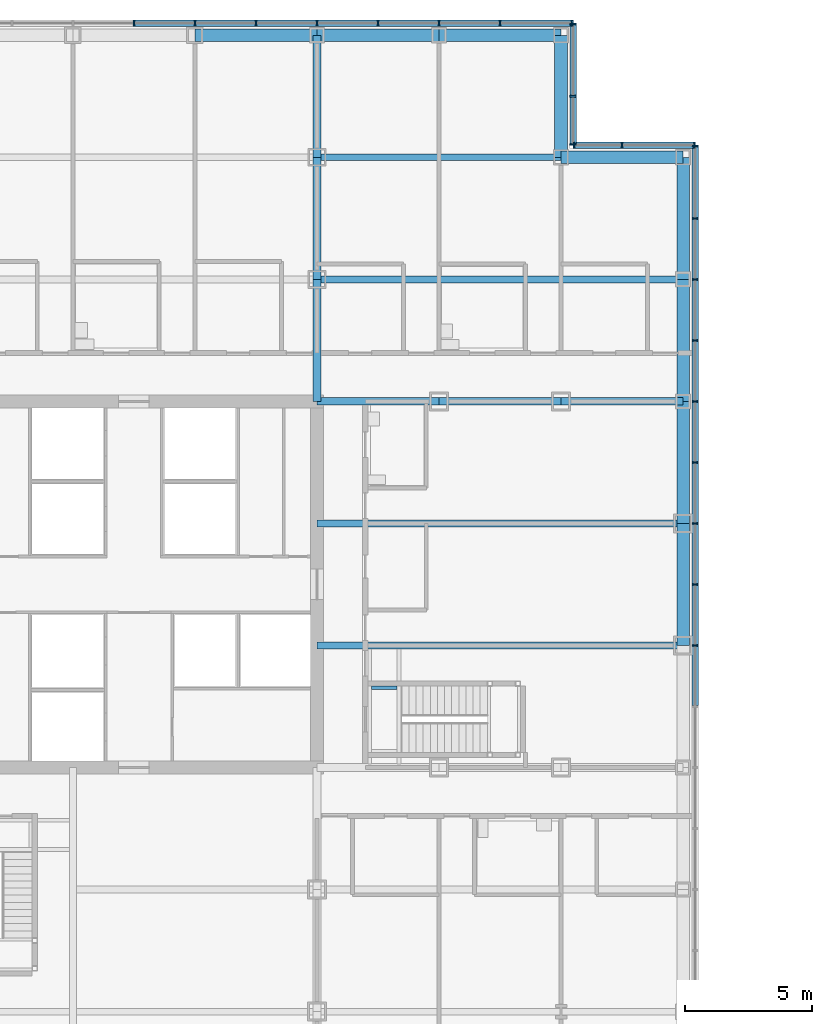
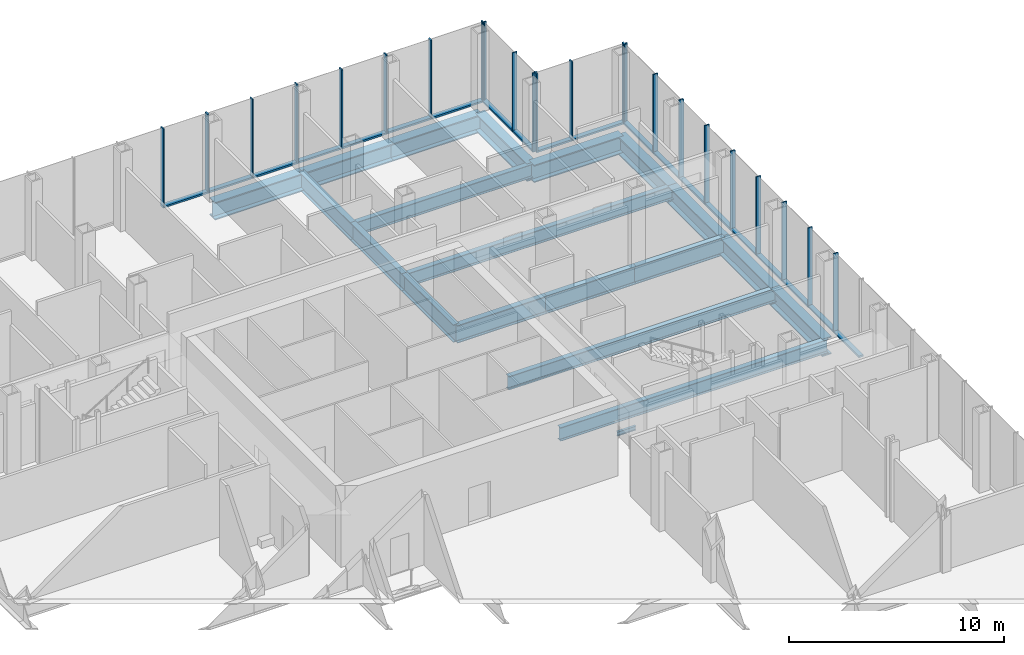
# One storey, part 16 of 25: 43 members, 20 beams, 4 elements without a shape of their own.
"""IFC4 building model written with IfcOpenShell, lengths in metres."""

from ifc_helpers import new_model, si_unit, direction, frame, origin, origin_2d, place, context, subcontext, project, spatial, rectangle, i_section, extrude, material, material_profile, profile_set, type_object, element, aggregate, save


model = new_model("IFC4")

# Units and contexts
model_context = context("Model", 3, precision=1e-05, world=origin(), true_north=direction((0.0, 1.0)))
body_context = subcontext(model_context, "Body", "Model", "MODEL_VIEW")
ifc_project = project(units=[si_unit("LENGTHUNIT", "METRE"), si_unit("AREAUNIT", "SQUARE_METRE"), si_unit("VOLUMEUNIT", "CUBIC_METRE"), si_unit("PLANEANGLEUNIT", "RADIAN"), si_unit("MASSUNIT", "GRAM", prefix="KILO")], contexts=[model_context])

# Site, building, storey
site_placement = place(None, origin())
site = spatial("IfcSite", under=ifc_project, at=site_placement, CompositionType="ELEMENT")
building_placement = place(site_placement, origin())
building = spatial("IfcBuilding", under=site, at=building_placement, Name="Kvirike Care Tower", CompositionType="ELEMENT")
storey_placement = place(building_placement, frame((0.0, 0.0, 13.5)))
storey = spatial("IfcBuildingStorey", under=building, at=storey_placement, Name="L03", CompositionType="ELEMENT", Elevation=13.5)

# Curtain wall, members
ifc_material_1 = material(Name="Anodised aluminium stick system", Category="aluminium")
curtain_wall_type = type_object("IfcCurtainWallType", Name="CW-P PODIUM STICK CURTAIN WALL", PredefinedType="NOTDEFINED", material=ifc_material_1)
curtain_wall_1_placement = place(storey_placement, origin())
curtain_wall_1 = element("IfcCurtainWall", 1, at=curtain_wall_1_placement, inside=storey, type_object=curtain_wall_type, Name="Curtain wall L03 face 8", PredefinedType="NOTDEFINED")
ifc_material_2 = material(Name="Bronze anodised aluminium mullion", Category="aluminium")
ifc_material_profile_1 = material_profile(ifc_material_2, rectangle(XDim=0.06494140625, YDim=0.25, at=origin_2d()), Name="CW-P MULLION 65x250")
ifc_profile_set_1 = profile_set([ifc_material_profile_1], Name="Bronze anodised aluminium mullion")
member_type_1 = type_object("IfcMemberType", Name="CW-P MULLION 65x250", PredefinedType="MULLION", material=ifc_profile_set_1)
member_1_placement = place(storey_placement, frame((43.675048828125, 33.60009765625, 0.0), z_axis=(0.0, 0.0, 1.0), x_axis=(0.0, 1.0, 0.0)))
member_1 = element("IfcMember", 2, at=member_1_placement, type_object=member_type_1, Name="CW-P mullion L03 face 8.9", PredefinedType="MULLION", context=body_context, shape_type="SweptSolid", body=[
    extrude(rectangle(XDim=0.06494140625, YDim=0.25, at=origin_2d()), origin(), (0.0, 0.0, 1.0), 4.5),
])
member_2_placement = place(storey_placement, frame((43.675048828125, 36.0, 0.0), z_axis=(0.0, 0.0, 1.0), x_axis=(0.0, 1.0, 0.0)))
member_2 = element("IfcMember", 3, at=member_2_placement, type_object=member_type_1, Name="CW-P mullion L03 face 8.10", PredefinedType="MULLION", context=body_context, shape_type="SweptSolid", body=[
    extrude(rectangle(XDim=0.06494140625, YDim=0.25, at=origin_2d()), origin(), (0.0, 0.0, 1.0), 4.5),
])
member_3_placement = place(storey_placement, frame((43.675048828125, 38.39990234375, 0.0), z_axis=(0.0, 0.0, 1.0), x_axis=(0.0, 1.0, 0.0)))
member_3 = element("IfcMember", 4, at=member_3_placement, type_object=member_type_1, Name="CW-P mullion L03 face 8.11", PredefinedType="MULLION", context=body_context, shape_type="SweptSolid", body=[
    extrude(rectangle(XDim=0.06494140625, YDim=0.25, at=origin_2d()), origin(), (0.0, 0.0, 1.0), 4.5),
])
member_4_placement = place(storey_placement, frame((43.675048828125, 40.800048828125, 0.0), z_axis=(0.0, 0.0, 1.0), x_axis=(0.0, 1.0, 0.0)))
member_4 = element("IfcMember", 5, at=member_4_placement, type_object=member_type_1, Name="CW-P mullion L03 face 8.12", PredefinedType="MULLION", context=body_context, shape_type="SweptSolid", body=[
    extrude(rectangle(XDim=0.06494140625, YDim=0.25, at=origin_2d()), origin(), (0.0, 0.0, 1.0), 4.5),
])
member_5_placement = place(storey_placement, frame((43.675048828125, 43.199951171875, 0.0), z_axis=(0.0, 0.0, 1.0), x_axis=(0.0, 1.0, 0.0)))
member_5 = element("IfcMember", 6, at=member_5_placement, type_object=member_type_1, Name="CW-P mullion L03 face 8.13", PredefinedType="MULLION", context=body_context, shape_type="SweptSolid", body=[
    extrude(rectangle(XDim=0.06494140625, YDim=0.25, at=origin_2d()), origin(), (0.0, 0.0, 1.0), 4.5),
])
member_6_placement = place(storey_placement, frame((43.675048828125, 45.60009765625, 0.0), z_axis=(0.0, 0.0, 1.0), x_axis=(0.0, 1.0, 0.0)))
member_6 = element("IfcMember", 7, at=member_6_placement, type_object=member_type_1, Name="CW-P mullion L03 face 8.14", PredefinedType="MULLION", context=body_context, shape_type="SweptSolid", body=[
    extrude(rectangle(XDim=0.06494140625, YDim=0.25, at=origin_2d()), origin(), (0.0, 0.0, 1.0), 4.5),
])
member_7_placement = place(storey_placement, frame((43.675048828125, 48.0, 0.0), z_axis=(0.0, 0.0, 1.0), x_axis=(0.0, 1.0, 0.0)))
member_7 = element("IfcMember", 8, at=member_7_placement, type_object=member_type_1, Name="CW-P mullion L03 face 8.15", PredefinedType="MULLION", context=body_context, shape_type="SweptSolid", body=[
    extrude(rectangle(XDim=0.06494140625, YDim=0.25, at=origin_2d()), origin(), (0.0, 0.0, 1.0), 4.5),
])
member_8_placement = place(storey_placement, frame((43.675048828125, 50.39990234375, 0.0), z_axis=(0.0, 0.0, 1.0), x_axis=(0.0, 1.0, 0.0)))
member_8 = element("IfcMember", 9, at=member_8_placement, type_object=member_type_1, Name="CW-P mullion L03 face 8.16", PredefinedType="MULLION", context=body_context, shape_type="SweptSolid", body=[
    extrude(rectangle(XDim=0.06494140625, YDim=0.25, at=origin_2d()), origin(), (0.0, 0.0, 1.0), 4.5),
])
member_9_placement = place(storey_placement, frame((43.675048828125, 53.242431640625, 0.0), z_axis=(0.0, 0.0, 1.0), x_axis=(0.0, 1.0, 0.0)))
member_9 = element("IfcMember", 10, at=member_9_placement, type_object=member_type_1, Name="CW-P mullion L03 face 8.17", PredefinedType="MULLION", context=body_context, shape_type="SweptSolid", body=[
    extrude(rectangle(XDim=0.06494140625, YDim=0.25, at=origin_2d()), origin(), (0.0, 0.0, 1.0), 4.5),
])

curtain_wall_2_placement = place(storey_placement, origin())
curtain_wall_2 = element("IfcCurtainWall", 11, at=curtain_wall_2_placement, inside=storey, type_object=curtain_wall_type, Name="Curtain wall L03 face 9", PredefinedType="NOTDEFINED")
member_10_placement = place(storey_placement, frame((43.642578125, 53.27490234375, 0.0), z_axis=(0.0, 0.0, 1.0), x_axis=(-1.0, 0.0, 0.0)))
member_10 = element("IfcMember", 12, at=member_10_placement, type_object=member_type_1, Name="CW-P mullion L03 face 9.1", PredefinedType="MULLION", context=body_context, shape_type="SweptSolid", body=[
    extrude(rectangle(XDim=0.06494140625, YDim=0.25, at=origin_2d()), origin(), (0.0, 0.0, 1.0), 4.5),
])
member_11_placement = place(storey_placement, frame((40.800048828125, 53.27490234375, 0.0), z_axis=(0.0, 0.0, 1.0), x_axis=(-1.0, 0.0, 0.0)))
member_11 = element("IfcMember", 13, at=member_11_placement, type_object=member_type_1, Name="CW-P mullion L03 face 9.2", PredefinedType="MULLION", context=body_context, shape_type="SweptSolid", body=[
    extrude(rectangle(XDim=0.06494140625, YDim=0.25, at=origin_2d()), origin(), (0.0, 0.0, 1.0), 4.5),
])
member_12_placement = place(storey_placement, frame((38.907470703125, 53.27490234375, 0.0), z_axis=(0.0, 0.0, 1.0), x_axis=(-1.0, 0.0, 0.0)))
member_12 = element("IfcMember", 14, at=member_12_placement, type_object=member_type_1, Name="CW-P mullion L03 face 9.3", PredefinedType="MULLION", context=body_context, shape_type="SweptSolid", body=[
    extrude(rectangle(XDim=0.06494140625, YDim=0.25, at=origin_2d()), origin(), (0.0, 0.0, 1.0), 4.5),
])

curtain_wall_3_placement = place(storey_placement, origin())
curtain_wall_3 = element("IfcCurtainWall", 15, at=curtain_wall_3_placement, inside=storey, type_object=curtain_wall_type, Name="Curtain wall L03 face 10", PredefinedType="NOTDEFINED")
member_13_placement = place(storey_placement, frame((38.875, 53.3076171875, 0.0), z_axis=(0.0, 0.0, 1.0), x_axis=(0.0, 1.0, 0.0)))
member_13 = element("IfcMember", 16, at=member_13_placement, type_object=member_type_1, Name="CW-P mullion L03 face 10.1", PredefinedType="MULLION", context=body_context, shape_type="SweptSolid", body=[
    extrude(rectangle(XDim=0.06494140625, YDim=0.25, at=origin_2d()), origin(), (0.0, 0.0, 1.0), 4.5),
])
member_14_placement = place(storey_placement, frame((38.875, 55.199951171875, 0.0), z_axis=(0.0, 0.0, 1.0), x_axis=(0.0, 1.0, 0.0)))
member_14 = element("IfcMember", 17, at=member_14_placement, type_object=member_type_1, Name="CW-P mullion L03 face 10.2", PredefinedType="MULLION", context=body_context, shape_type="SweptSolid", body=[
    extrude(rectangle(XDim=0.06494140625, YDim=0.25, at=origin_2d()), origin(), (0.0, 0.0, 1.0), 4.5),
])
member_15_placement = place(storey_placement, frame((38.875, 58.04248046875, 0.0), z_axis=(0.0, 0.0, 1.0), x_axis=(0.0, 1.0, 0.0)))
member_15 = element("IfcMember", 18, at=member_15_placement, type_object=member_type_1, Name="CW-P mullion L03 face 10.3", PredefinedType="MULLION", context=body_context, shape_type="SweptSolid", body=[
    extrude(rectangle(XDim=0.06494140625, YDim=0.25, at=origin_2d()), origin(), (0.0, 0.0, 1.0), 4.5),
])

curtain_wall_4_placement = place(storey_placement, origin())
curtain_wall_4 = element("IfcCurtainWall", 19, at=curtain_wall_4_placement, inside=storey, type_object=curtain_wall_type, Name="Curtain wall L03 face 11", PredefinedType="NOTDEFINED")
member_16_placement = place(storey_placement, frame((38.842529296875, 58.074951171875, 0.0), z_axis=(0.0, 0.0, 1.0), x_axis=(-1.0, 0.0, 0.0)))
member_16 = element("IfcMember", 20, at=member_16_placement, type_object=member_type_1, Name="CW-P mullion L03 face 11.1", PredefinedType="MULLION", context=body_context, shape_type="SweptSolid", body=[
    extrude(rectangle(XDim=0.06494140625, YDim=0.25, at=origin_2d()), origin(), (0.0, 0.0, 1.0), 4.5),
])
member_17_placement = place(storey_placement, frame((36.0, 58.074951171875, 0.0), z_axis=(0.0, 0.0, 1.0), x_axis=(-1.0, 0.0, 0.0)))
member_17 = element("IfcMember", 21, at=member_17_placement, type_object=member_type_1, Name="CW-P mullion L03 face 11.2", PredefinedType="MULLION", context=body_context, shape_type="SweptSolid", body=[
    extrude(rectangle(XDim=0.06494140625, YDim=0.25, at=origin_2d()), origin(), (0.0, 0.0, 1.0), 4.5),
])
member_18_placement = place(storey_placement, frame((33.60009765625, 58.074951171875, 0.0), z_axis=(0.0, 0.0, 1.0), x_axis=(-1.0, 0.0, 0.0)))
member_18 = element("IfcMember", 22, at=member_18_placement, type_object=member_type_1, Name="CW-P mullion L03 face 11.3", PredefinedType="MULLION", context=body_context, shape_type="SweptSolid", body=[
    extrude(rectangle(XDim=0.06494140625, YDim=0.25, at=origin_2d()), origin(), (0.0, 0.0, 1.0), 4.5),
])
member_19_placement = place(storey_placement, frame((31.199951171875, 58.074951171875, 0.0), z_axis=(0.0, 0.0, 1.0), x_axis=(-1.0, 0.0, 0.0)))
member_19 = element("IfcMember", 23, at=member_19_placement, type_object=member_type_1, Name="CW-P mullion L03 face 11.4", PredefinedType="MULLION", context=body_context, shape_type="SweptSolid", body=[
    extrude(rectangle(XDim=0.06494140625, YDim=0.25, at=origin_2d()), origin(), (0.0, 0.0, 1.0), 4.5),
])
member_20_placement = place(storey_placement, frame((28.800048828125, 58.074951171875, 0.0), z_axis=(0.0, 0.0, 1.0), x_axis=(-1.0, 0.0, 0.0)))
member_20 = element("IfcMember", 24, at=member_20_placement, type_object=member_type_1, Name="CW-P mullion L03 face 11.5", PredefinedType="MULLION", context=body_context, shape_type="SweptSolid", body=[
    extrude(rectangle(XDim=0.06494140625, YDim=0.25, at=origin_2d()), origin(), (0.0, 0.0, 1.0), 4.5),
])
member_21_placement = place(storey_placement, frame((26.39990234375, 58.074951171875, 0.0), z_axis=(0.0, 0.0, 1.0), x_axis=(-1.0, 0.0, 0.0)))
member_21 = element("IfcMember", 25, at=member_21_placement, type_object=member_type_1, Name="CW-P mullion L03 face 11.6", PredefinedType="MULLION", context=body_context, shape_type="SweptSolid", body=[
    extrude(rectangle(XDim=0.06494140625, YDim=0.25, at=origin_2d()), origin(), (0.0, 0.0, 1.0), 4.5),
])
member_22_placement = place(storey_placement, frame((24.0, 58.074951171875, 0.0), z_axis=(0.0, 0.0, 1.0), x_axis=(-1.0, 0.0, 0.0)))
member_22 = element("IfcMember", 26, at=member_22_placement, type_object=member_type_1, Name="CW-P mullion L03 face 11.7", PredefinedType="MULLION", context=body_context, shape_type="SweptSolid", body=[
    extrude(rectangle(XDim=0.06494140625, YDim=0.25, at=origin_2d()), origin(), (0.0, 0.0, 1.0), 4.5),
])
member_23_placement = place(storey_placement, frame((21.60009765625, 58.074951171875, 0.0), z_axis=(0.0, 0.0, 1.0), x_axis=(-1.0, 0.0, 0.0)))
member_23 = element("IfcMember", 27, at=member_23_placement, type_object=member_type_1, Name="CW-P mullion L03 face 11.8", PredefinedType="MULLION", context=body_context, shape_type="SweptSolid", body=[
    extrude(rectangle(XDim=0.06494140625, YDim=0.25, at=origin_2d()), origin(), (0.0, 0.0, 1.0), 4.5),
])

# Member
ifc_material_3 = material(Name="Bronze anodised aluminium transom", Category="aluminium")
ifc_material_profile_2 = material_profile(ifc_material_3, rectangle(XDim=0.25, YDim=0.10009765625, at=origin_2d()), Name="CW-P TRANSOM 250x100")
ifc_profile_set_2 = profile_set([ifc_material_profile_2], Name="Bronze anodised aluminium transom")
member_type_2 = type_object("IfcMemberType", Name="CW-P TRANSOM 250x100", PredefinedType="USERDEFINED", material=ifc_profile_set_2)
member_24_placement = place(storey_placement, frame((43.675048828125, 31.232421875, 0.050048828125), z_axis=(0.0, 1.0, 0.0), x_axis=(-1.0, 0.0, 0.0)))
member_24 = element("IfcMember", 28, at=member_24_placement, type_object=member_type_2, Name="CW-P sill transom L03 face 8.8", ObjectType="TRANSOM", PredefinedType="USERDEFINED", context=body_context, shape_type="SweptSolid", body=[
    extrude(rectangle(XDim=0.25, YDim=0.10009765625, at=origin_2d()), origin(), (0.0, 0.0, 1.0), 2.3349609375),
])

member_25_placement = place(storey_placement, frame((43.675048828125, 33.632568359375, 0.050048828125), z_axis=(0.0, 1.0, 0.0), x_axis=(-1.0, 0.0, 0.0)))
member_25 = element("IfcMember", 29, at=member_25_placement, type_object=member_type_2, Name="CW-P sill transom L03 face 8.9", ObjectType="TRANSOM", PredefinedType="USERDEFINED", context=body_context, shape_type="SweptSolid", body=[
    extrude(rectangle(XDim=0.25, YDim=0.10009765625, at=origin_2d()), origin(), (0.0, 0.0, 1.0), 2.3349609375),
])

member_26_placement = place(storey_placement, frame((43.675048828125, 36.032470703125, 0.050048828125), z_axis=(0.0, 1.0, 0.0), x_axis=(-1.0, 0.0, 0.0)))
member_26 = element("IfcMember", 30, at=member_26_placement, type_object=member_type_2, Name="CW-P sill transom L03 face 8.10", ObjectType="TRANSOM", PredefinedType="USERDEFINED", context=body_context, shape_type="SweptSolid", body=[
    extrude(rectangle(XDim=0.25, YDim=0.10009765625, at=origin_2d()), origin(), (0.0, 0.0, 1.0), 2.3349609375),
])

member_27_placement = place(storey_placement, frame((43.675048828125, 38.4326171875, 0.050048828125), z_axis=(0.0, 1.0, 0.0), x_axis=(-1.0, 0.0, 0.0)))
member_27 = element("IfcMember", 31, at=member_27_placement, type_object=member_type_2, Name="CW-P sill transom L03 face 8.11", ObjectType="TRANSOM", PredefinedType="USERDEFINED", context=body_context, shape_type="SweptSolid", body=[
    extrude(rectangle(XDim=0.25, YDim=0.10009765625, at=origin_2d()), origin(), (0.0, 0.0, 1.0), 2.3349609375),
])

member_28_placement = place(storey_placement, frame((43.675048828125, 40.83251953125, 0.050048828125), z_axis=(0.0, 1.0, 0.0), x_axis=(-1.0, 0.0, 0.0)))
member_28 = element("IfcMember", 32, at=member_28_placement, type_object=member_type_2, Name="CW-P sill transom L03 face 8.12", ObjectType="TRANSOM", PredefinedType="USERDEFINED", context=body_context, shape_type="SweptSolid", body=[
    extrude(rectangle(XDim=0.25, YDim=0.10009765625, at=origin_2d()), origin(), (0.0, 0.0, 1.0), 2.3349609375),
])

member_29_placement = place(storey_placement, frame((43.675048828125, 43.232421875, 0.050048828125), z_axis=(0.0, 1.0, 0.0), x_axis=(-1.0, 0.0, 0.0)))
member_29 = element("IfcMember", 33, at=member_29_placement, type_object=member_type_2, Name="CW-P sill transom L03 face 8.13", ObjectType="TRANSOM", PredefinedType="USERDEFINED", context=body_context, shape_type="SweptSolid", body=[
    extrude(rectangle(XDim=0.25, YDim=0.10009765625, at=origin_2d()), origin(), (0.0, 0.0, 1.0), 2.3349609375),
])

member_30_placement = place(storey_placement, frame((43.675048828125, 45.632568359375, 0.050048828125), z_axis=(0.0, 1.0, 0.0), x_axis=(-1.0, 0.0, 0.0)))
member_30 = element("IfcMember", 34, at=member_30_placement, type_object=member_type_2, Name="CW-P sill transom L03 face 8.14", ObjectType="TRANSOM", PredefinedType="USERDEFINED", context=body_context, shape_type="SweptSolid", body=[
    extrude(rectangle(XDim=0.25, YDim=0.10009765625, at=origin_2d()), origin(), (0.0, 0.0, 1.0), 2.3349609375),
])

member_31_placement = place(storey_placement, frame((43.675048828125, 48.032470703125, 0.050048828125), z_axis=(0.0, 1.0, 0.0), x_axis=(-1.0, 0.0, 0.0)))
member_31 = element("IfcMember", 35, at=member_31_placement, type_object=member_type_2, Name="CW-P sill transom L03 face 8.15", ObjectType="TRANSOM", PredefinedType="USERDEFINED", context=body_context, shape_type="SweptSolid", body=[
    extrude(rectangle(XDim=0.25, YDim=0.10009765625, at=origin_2d()), origin(), (0.0, 0.0, 1.0), 2.3349609375),
])

member_32_placement = place(storey_placement, frame((43.675048828125, 50.4326171875, 0.050048828125), z_axis=(0.0, 1.0, 0.0), x_axis=(-1.0, 0.0, 0.0)))
member_32 = element("IfcMember", 36, at=member_32_placement, type_object=member_type_2, Name="CW-P sill transom L03 face 8.16", ObjectType="TRANSOM", PredefinedType="USERDEFINED", context=body_context, shape_type="SweptSolid", body=[
    extrude(rectangle(XDim=0.25, YDim=0.10009765625, at=origin_2d()), origin(), (0.0, 0.0, 1.0), 2.77734375),
])

aggregate(curtain_wall_1, [member_1, member_2, member_3, member_4, member_5, member_6, member_7, member_8, member_9, member_24, member_25, member_26, member_27, member_28, member_29, member_30, member_31, member_32])

member_33_placement = place(storey_placement, frame((43.610107421875, 53.27490234375, 0.050048828125), z_axis=(-1.0, 0.0, 0.0), x_axis=(0.0, -1.0, 0.0)))
member_33 = element("IfcMember", 37, at=member_33_placement, type_object=member_type_2, Name="CW-P sill transom L03 face 9.1", ObjectType="TRANSOM", PredefinedType="USERDEFINED", context=body_context, shape_type="SweptSolid", body=[
    extrude(rectangle(XDim=0.25, YDim=0.10009765625, at=origin_2d()), origin(), (0.0, 0.0, 1.0), 2.777587890625),
])

member_34_placement = place(storey_placement, frame((40.767578125, 53.27490234375, 0.050048828125), z_axis=(-1.0, 0.0, 0.0), x_axis=(0.0, -1.0, 0.0)))
member_34 = element("IfcMember", 38, at=member_34_placement, type_object=member_type_2, Name="CW-P sill transom L03 face 9.2", ObjectType="TRANSOM", PredefinedType="USERDEFINED", context=body_context, shape_type="SweptSolid", body=[
    extrude(rectangle(XDim=0.25, YDim=0.10009765625, at=origin_2d()), origin(), (0.0, 0.0, 1.0), 1.82763671875),
])

aggregate(curtain_wall_2, [member_10, member_11, member_12, member_33, member_34])

member_35_placement = place(storey_placement, frame((38.875, 53.340087890625, 0.050048828125), z_axis=(0.0, 1.0, 0.0), x_axis=(-1.0, 0.0, 0.0)))
member_35 = element("IfcMember", 39, at=member_35_placement, type_object=member_type_2, Name="CW-P sill transom L03 face 10.1", ObjectType="TRANSOM", PredefinedType="USERDEFINED", context=body_context, shape_type="SweptSolid", body=[
    extrude(rectangle(XDim=0.25, YDim=0.10009765625, at=origin_2d()), origin(), (0.0, 0.0, 1.0), 1.827392578125),
])

member_36_placement = place(storey_placement, frame((38.875, 55.232421875, 0.050048828125), z_axis=(0.0, 1.0, 0.0), x_axis=(-1.0, 0.0, 0.0)))
member_36 = element("IfcMember", 40, at=member_36_placement, type_object=member_type_2, Name="CW-P sill transom L03 face 10.2", ObjectType="TRANSOM", PredefinedType="USERDEFINED", context=body_context, shape_type="SweptSolid", body=[
    extrude(rectangle(XDim=0.25, YDim=0.10009765625, at=origin_2d()), origin(), (0.0, 0.0, 1.0), 2.777587890625),
])

aggregate(curtain_wall_3, [member_13, member_14, member_15, member_35, member_36])

member_37_placement = place(storey_placement, frame((38.81005859375, 58.074951171875, 0.050048828125), z_axis=(-1.0, 0.0, 0.0), x_axis=(0.0, -1.0, 0.0)))
member_37 = element("IfcMember", 41, at=member_37_placement, type_object=member_type_2, Name="CW-P sill transom L03 face 11.1", ObjectType="TRANSOM", PredefinedType="USERDEFINED", context=body_context, shape_type="SweptSolid", body=[
    extrude(rectangle(XDim=0.25, YDim=0.10009765625, at=origin_2d()), origin(), (0.0, 0.0, 1.0), 2.777587890625),
])

member_38_placement = place(storey_placement, frame((35.967529296875, 58.074951171875, 0.050048828125), z_axis=(-1.0, 0.0, 0.0), x_axis=(0.0, -1.0, 0.0)))
member_38 = element("IfcMember", 42, at=member_38_placement, type_object=member_type_2, Name="CW-P sill transom L03 face 11.2", ObjectType="TRANSOM", PredefinedType="USERDEFINED", context=body_context, shape_type="SweptSolid", body=[
    extrude(rectangle(XDim=0.25, YDim=0.10009765625, at=origin_2d()), origin(), (0.0, 0.0, 1.0), 2.3349609375),
])

member_39_placement = place(storey_placement, frame((33.5673828125, 58.074951171875, 0.050048828125), z_axis=(-1.0, 0.0, 0.0), x_axis=(0.0, -1.0, 0.0)))
member_39 = element("IfcMember", 43, at=member_39_placement, type_object=member_type_2, Name="CW-P sill transom L03 face 11.3", ObjectType="TRANSOM", PredefinedType="USERDEFINED", context=body_context, shape_type="SweptSolid", body=[
    extrude(rectangle(XDim=0.25, YDim=0.10009765625, at=origin_2d()), origin(), (0.0, 0.0, 1.0), 2.3349609375),
])

member_40_placement = place(storey_placement, frame((31.16748046875, 58.074951171875, 0.050048828125), z_axis=(-1.0, 0.0, 0.0), x_axis=(0.0, -1.0, 0.0)))
member_40 = element("IfcMember", 44, at=member_40_placement, type_object=member_type_2, Name="CW-P sill transom L03 face 11.4", ObjectType="TRANSOM", PredefinedType="USERDEFINED", context=body_context, shape_type="SweptSolid", body=[
    extrude(rectangle(XDim=0.25, YDim=0.10009765625, at=origin_2d()), origin(), (0.0, 0.0, 1.0), 2.3349609375),
])

member_41_placement = place(storey_placement, frame((28.767578125, 58.074951171875, 0.050048828125), z_axis=(-1.0, 0.0, 0.0), x_axis=(0.0, -1.0, 0.0)))
member_41 = element("IfcMember", 45, at=member_41_placement, type_object=member_type_2, Name="CW-P sill transom L03 face 11.5", ObjectType="TRANSOM", PredefinedType="USERDEFINED", context=body_context, shape_type="SweptSolid", body=[
    extrude(rectangle(XDim=0.25, YDim=0.10009765625, at=origin_2d()), origin(), (0.0, 0.0, 1.0), 2.3349609375),
])

member_42_placement = place(storey_placement, frame((26.367431640625, 58.074951171875, 0.050048828125), z_axis=(-1.0, 0.0, 0.0), x_axis=(0.0, -1.0, 0.0)))
member_42 = element("IfcMember", 46, at=member_42_placement, type_object=member_type_2, Name="CW-P sill transom L03 face 11.6", ObjectType="TRANSOM", PredefinedType="USERDEFINED", context=body_context, shape_type="SweptSolid", body=[
    extrude(rectangle(XDim=0.25, YDim=0.10009765625, at=origin_2d()), origin(), (0.0, 0.0, 1.0), 2.3349609375),
])

member_43_placement = place(storey_placement, frame((23.967529296875, 58.074951171875, 0.050048828125), z_axis=(-1.0, 0.0, 0.0), x_axis=(0.0, -1.0, 0.0)))
member_43 = element("IfcMember", 47, at=member_43_placement, type_object=member_type_2, Name="CW-P sill transom L03 face 11.7", ObjectType="TRANSOM", PredefinedType="USERDEFINED", context=body_context, shape_type="SweptSolid", body=[
    extrude(rectangle(XDim=0.25, YDim=0.10009765625, at=origin_2d()), origin(), (0.0, 0.0, 1.0), 2.3349609375),
])

aggregate(curtain_wall_4, [member_16, member_17, member_18, member_19, member_20, member_21, member_22, member_23, member_37, member_38, member_39, member_40, member_41, member_42, member_43])

# Beams
ifc_material_4 = material(Name="Steel S355", Category="steel")
ifc_material_profile_3 = material_profile(ifc_material_4, i_section(OverallWidth=0.26806640625, OverallDepth=0.77001953125, WebThickness=0.015625, FlangeThickness=0.025390625, FilletRadius=0.01708984375, at=origin_2d()), Name="IPE 750x196")
ifc_profile_set_3 = profile_set([ifc_material_profile_3], Name="Steel S355")
beam_type_1 = type_object("IfcBeamType", Name="FLOOR BEAM IPE 750x196", PredefinedType="BEAM", material=ifc_profile_set_3)
for number, where, z_axis, x_axis, name in (
    (48, (28.800048828125, 33.60009765625, -0.554931640625), (1.0, 0.0, 0.0), (0.0, 1.0, 0.0), "Floor Beam H9-H12 L03"),
    (49, (28.800048828125, 38.39990234375, -0.554931640625), (1.0, 0.0, 0.0), (0.0, 1.0, 0.0), "Floor Beam J9-J12 L03"),
    (50, (28.800048828125, 48.0, -0.554931640625), (1.0, 0.0, 0.0), (0.0, 1.0, 0.0), "Floor Beam L9-L12 L03"),
):
    element("IfcBeam", number, at=place(storey_placement, frame(where, z_axis=z_axis, x_axis=x_axis)), inside=storey, type_object=beam_type_1, Name=name, PredefinedType="BEAM", context=body_context, shape_type="SweptSolid", body=[
        extrude(i_section(OverallWidth=0.26806640625, OverallDepth=0.77001953125, WebThickness=0.015625, FlangeThickness=0.025390625, FilletRadius=0.01708984375, at=origin_2d()), origin(), (0.0, 0.0, 1.0), 14.39990234375),
    ])
beam_1_placement = place(storey_placement, frame((28.800048828125, 52.800048828125, -0.554931640625), z_axis=(1.0, 0.0, 0.0), x_axis=(0.0, 1.0, 0.0)))
element("IfcBeam", 51, at=beam_1_placement, inside=storey, type_object=beam_type_1, Name="Floor Beam M9-M11 L03", PredefinedType="BEAM", context=body_context, shape_type="SweptSolid", body=[
    extrude(i_section(OverallWidth=0.26806640625, OverallDepth=0.77001953125, WebThickness=0.015625, FlangeThickness=0.025390625, FilletRadius=0.01708984375, at=origin_2d()), origin(), (0.0, 0.0, 1.0), 9.599853515625),
])
ifc_material_5 = material(Name="Steel S355", Category="steel")
ifc_material_profile_4 = material_profile(ifc_material_5, i_section(OverallWidth=0.300048828125, OverallDepth=1.0, WebThickness=0.01904296875, FlangeThickness=0.035888671875, FilletRadius=0.030029296875, at=origin_2d()), Name="HE 1000 B")
ifc_profile_set_4 = profile_set([ifc_material_profile_4], Name="Steel S355")
beam_type_2 = type_object("IfcBeamType", Name="FRAME BEAM HE 1000 B", PredefinedType="BEAM", material=ifc_profile_set_4)
beam_2_placement = place(storey_placement, frame((28.800048828125, 43.199951171875, -0.669921875), z_axis=(1.0, 0.0, 0.0), x_axis=(0.0, 1.0, 0.0)))
element("IfcBeam", 52, at=beam_2_placement, inside=storey, type_object=beam_type_2, Name="Frame Beam K9-K10 L03", PredefinedType="BEAM", context=body_context, shape_type="SweptSolid", body=[
    extrude(i_section(OverallWidth=0.300048828125, OverallDepth=1.0, WebThickness=0.01904296875, FlangeThickness=0.035888671875, FilletRadius=0.030029296875, at=origin_2d()), origin(), (0.0, 0.0, 1.0), 4.800048828125),
])
beam_3_placement = place(storey_placement, frame((33.60009765625, 43.199951171875, -0.669921875), z_axis=(1.0, 0.0, 0.0), x_axis=(0.0, 1.0, 0.0)))
element("IfcBeam", 53, at=beam_3_placement, inside=storey, type_object=beam_type_2, Name="Frame Beam K10-K11 L03", PredefinedType="BEAM", context=body_context, shape_type="SweptSolid", body=[
    extrude(i_section(OverallWidth=0.300048828125, OverallDepth=1.0, WebThickness=0.01904296875, FlangeThickness=0.035888671875, FilletRadius=0.030029296875, at=origin_2d()), origin(), (0.0, 0.0, 1.0), 4.7998046875),
])
for number, where, z_axis, x_axis, name in (
    (54, (38.39990234375, 43.199951171875, -0.669921875), (1.0, 0.0, 0.0), (0.0, 1.0, 0.0), "Frame Beam K11-K12 L03"),
    (55, (28.800048828125, 43.199951171875, -0.669921875), (0.0, 1.0, 0.0), (-1.0, 0.0, 0.0), "Frame Beam K9-L9 L03"),
    (56, (28.800048828125, 48.0, -0.669921875), (0.0, 1.0, 0.0), (-1.0, 0.0, 0.0), "Frame Beam L9-M9 L03"),
    (57, (28.800048828125, 52.800048828125, -0.669921875), (0.0, 1.0, 0.0), (-1.0, 0.0, 0.0), "Frame Beam M9-N9 L03"),
):
    element("IfcBeam", number, at=place(storey_placement, frame(where, z_axis=z_axis, x_axis=x_axis)), inside=storey, type_object=beam_type_2, Name=name, PredefinedType="BEAM", context=body_context, shape_type="SweptSolid", body=[
        extrude(i_section(OverallWidth=0.300048828125, OverallDepth=1.0, WebThickness=0.01904296875, FlangeThickness=0.035888671875, FilletRadius=0.030029296875, at=origin_2d()), origin(), (0.0, 0.0, 1.0), 4.800048828125),
    ])
ifc_material_6 = material(Name="Steel S355", Category="steel")
ifc_material_profile_5 = material_profile(ifc_material_6, i_section(OverallWidth=0.5, OverallDepth=1.0, WebThickness=0.030029296875, FlangeThickness=0.06005859375, at=origin_2d()), Name="PG 1000x500x30x60")
ifc_profile_set_5 = profile_set([ifc_material_profile_5], Name="Steel S355")
beam_type_3 = type_object("IfcBeamType", Name="SPANDREL PG 1000x500x30x60", PredefinedType="SPANDREL", material=ifc_profile_set_5)
for number, where, z_axis, x_axis, name in (
    (58, (38.39990234375, 52.800048828125, -0.669921875), (1.0, 0.0, 0.0), (0.0, 1.0, 0.0), "Spandrel M11-M12 L03"),
    (59, (24.0, 57.60009765625, -0.669921875), (1.0, 0.0, 0.0), (0.0, 1.0, 0.0), "Spandrel N8-N9 L03"),
    (60, (28.800048828125, 57.60009765625, -0.669921875), (1.0, 0.0, 0.0), (0.0, 1.0, 0.0), "Spandrel N9-N10 L03"),
):
    element("IfcBeam", number, at=place(storey_placement, frame(where, z_axis=z_axis, x_axis=x_axis)), inside=storey, type_object=beam_type_3, Name=name, PredefinedType="SPANDREL", context=body_context, shape_type="SweptSolid", body=[
        extrude(i_section(OverallWidth=0.5, OverallDepth=1.0, WebThickness=0.030029296875, FlangeThickness=0.06005859375, at=origin_2d()), origin(), (0.0, 0.0, 1.0), 4.800048828125),
    ])
beam_4_placement = place(storey_placement, frame((33.60009765625, 57.60009765625, -0.669921875), z_axis=(1.0, 0.0, 0.0), x_axis=(0.0, 1.0, 0.0)))
element("IfcBeam", 61, at=beam_4_placement, inside=storey, type_object=beam_type_3, Name="Spandrel N10-N11 L03", PredefinedType="SPANDREL", context=body_context, shape_type="SweptSolid", body=[
    extrude(i_section(OverallWidth=0.5, OverallDepth=1.0, WebThickness=0.030029296875, FlangeThickness=0.06005859375, at=origin_2d()), origin(), (0.0, 0.0, 1.0), 4.7998046875),
])
beam_5_placement = place(storey_placement, frame((38.39990234375, 52.800048828125, -0.669921875), z_axis=(0.0, 1.0, 0.0), x_axis=(-1.0, 0.0, 0.0)))
element("IfcBeam", 62, at=beam_5_placement, inside=storey, type_object=beam_type_3, Name="Spandrel M11-N11 L03", PredefinedType="SPANDREL", context=body_context, shape_type="SweptSolid", body=[
    extrude(i_section(OverallWidth=0.5, OverallDepth=1.0, WebThickness=0.030029296875, FlangeThickness=0.06005859375, at=origin_2d()), origin(), (0.0, 0.0, 1.0), 4.800048828125),
])
beam_6_placement = place(storey_placement, frame((43.199951171875, 33.60009765625, -0.669921875), z_axis=(0.0, 1.0, 0.0), x_axis=(-1.0, 0.0, 0.0)))
element("IfcBeam", 63, at=beam_6_placement, inside=storey, type_object=beam_type_3, Name="Spandrel H12-J12 L03", PredefinedType="SPANDREL", context=body_context, shape_type="SweptSolid", body=[
    extrude(i_section(OverallWidth=0.5, OverallDepth=1.0, WebThickness=0.030029296875, FlangeThickness=0.06005859375, at=origin_2d()), origin(), (0.0, 0.0, 1.0), 4.7998046875),
])
for number, where, z_axis, x_axis, name in (
    (64, (43.199951171875, 38.39990234375, -0.669921875), (0.0, 1.0, 0.0), (-1.0, 0.0, 0.0), "Spandrel J12-K12 L03"),
    (65, (43.199951171875, 43.199951171875, -0.669921875), (0.0, 1.0, 0.0), (-1.0, 0.0, 0.0), "Spandrel K12-L12 L03"),
    (66, (43.199951171875, 48.0, -0.669921875), (0.0, 1.0, 0.0), (-1.0, 0.0, 0.0), "Spandrel L12-M12 L03"),
):
    element("IfcBeam", number, at=place(storey_placement, frame(where, z_axis=z_axis, x_axis=x_axis)), inside=storey, type_object=beam_type_3, Name=name, PredefinedType="SPANDREL", context=body_context, shape_type="SweptSolid", body=[
        extrude(i_section(OverallWidth=0.5, OverallDepth=1.0, WebThickness=0.030029296875, FlangeThickness=0.06005859375, at=origin_2d()), origin(), (0.0, 0.0, 1.0), 4.800048828125),
    ])
ifc_material_7 = material(Name="Steel S355", Category="steel")
ifc_material_profile_6 = material_profile(ifc_material_7, i_section(OverallWidth=0.1201171875, OverallDepth=0.239990234375, WebThickness=0.006103515625, FlangeThickness=0.009765625, FilletRadius=0.014892578125, at=origin_2d()), Name="IPE 240")
ifc_profile_set_6 = profile_set([ifc_material_profile_6], Name="Steel S355")
beam_type_4 = type_object("IfcBeamType", Name="STAIR LANDING BEAM IPE 240", PredefinedType="BEAM", material=ifc_profile_set_6)
beam_7_placement = place(storey_placement, frame((31.949951171875, 31.93994140625, -0.320068359375), z_axis=(-1.0, 0.0, 0.0), x_axis=(0.0, -1.0, 0.0)))
element("IfcBeam", 67, at=beam_7_placement, inside=storey, type_object=beam_type_4, Name="Stair 2 landing edge beam 2 L03", PredefinedType="BEAM", context=body_context, shape_type="SweptSolid", body=[
    extrude(i_section(OverallWidth=0.1201171875, OverallDepth=0.239990234375, WebThickness=0.006103515625, FlangeThickness=0.009765625, FilletRadius=0.014892578125, at=origin_2d()), origin(), (0.0, 0.0, 1.0), 1.0),
])

save(model, "model.ifc")
